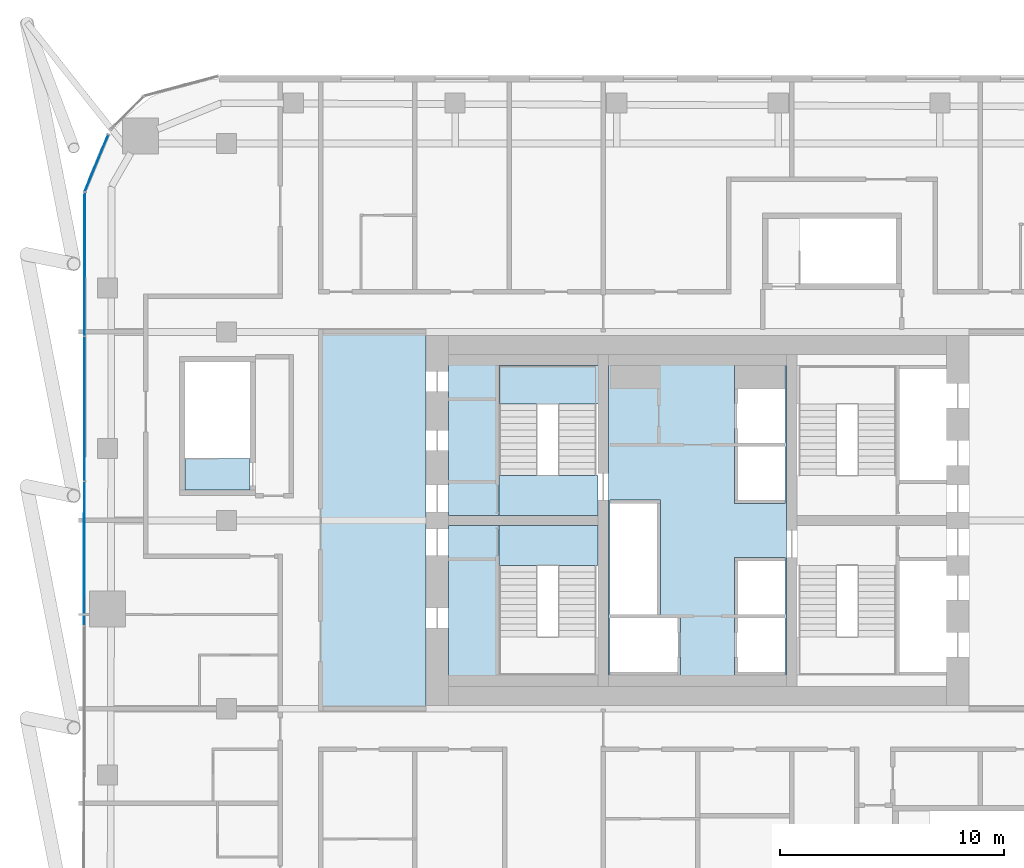
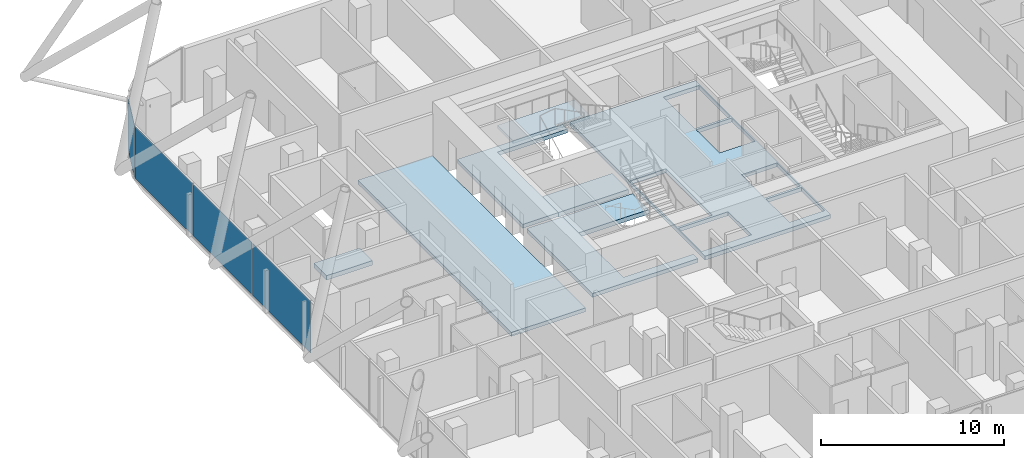
# One storey, part 23 of 34: 8 slabs, 4 plates, 3 elements without a shape of their own.
"""IFC4 building model written with IfcOpenShell, lengths in metres."""

from ifc_helpers import new_model, si_unit, direction, frame, origin, origin_2d, place, context, subcontext, project, spatial, polyline, rectangle, outline, extrude, material, layer, layer_set, type_object, element, aggregate, save


model = new_model("IFC4")

# Units and contexts
model_context = context("Model", 3, precision=1e-05, world=origin(), true_north=direction((0.0, 1.0)))
body_context = subcontext(model_context, "Body", "Model", "MODEL_VIEW")
ifc_project = project(units=[si_unit("LENGTHUNIT", "METRE"), si_unit("AREAUNIT", "SQUARE_METRE"), si_unit("VOLUMEUNIT", "CUBIC_METRE"), si_unit("PLANEANGLEUNIT", "RADIAN"), si_unit("MASSUNIT", "GRAM", prefix="KILO")], contexts=[model_context])

# Site, building, storey
site_placement = place(None, origin())
site = spatial("IfcSite", under=ifc_project, at=site_placement, CompositionType="ELEMENT")
building_placement = place(site_placement, origin())
building = spatial("IfcBuilding", under=site, at=building_placement, Name="Marenta Gate Hotel Tower", CompositionType="ELEMENT")
storey_placement = place(building_placement, frame((0.0, 0.0, 166.10009765625)))
storey = spatial("IfcBuildingStorey", under=building, at=storey_placement, Name="L39", CompositionType="ELEMENT", Elevation=166.10009765625)

# Slabs
ifc_material_1 = material(Name="Concrete C40", Category="concrete")
ifc_layer_1 = layer(ifc_material_1, 0.260009765625)
ifc_layer_set_1 = layer_set([ifc_layer_1], Name="Concrete C40")
slab_type_1 = type_object("IfcSlabType", Name="Core floor slab 260", PredefinedType="FLOOR", material=ifc_layer_set_1)
slab_1_placement = place(storey_placement, frame((0.0, 0.0, -0.260009765625)))
element("IfcSlab", 1, at=slab_1_placement, inside=storey, type_object=slab_type_1, Name="L39-CF-4", PredefinedType="FLOOR", context=body_context, shape_type="SweptSolid", body=[
    extrude(outline(polyline([(3.97509765625, 15.300048828125), (3.97509765625, 10.39990234375), (3.97509765625, 6.39990234375), (3.97509765625, 1.5), (3.97509765625, 1.0), (-3.97509765625, 1.0), (-3.97509765625, 1.5), (-3.97509765625, 6.39990234375), (-3.97509765625, 10.39990234375), (-3.97509765625, 15.300048828125), (-3.97509765625, 15.800048828125), (3.97509765625, 15.800048828125), (3.97509765625, 15.300048828125)]), holes=[polyline([(1.64990234375, 1.5), (3.89990234375, 1.5), (3.89990234375, 1.64990234375), (3.89990234375, 4.050048828125), (1.800048828125, 4.050048828125), (1.64990234375, 4.050048828125), (1.64990234375, 1.64990234375), (1.64990234375, 1.5)]), polyline([(1.64990234375, 6.60009765625), (1.64990234375, 4.199951171875), (1.800048828125, 4.199951171875), (3.89990234375, 4.199951171875), (3.89990234375, 6.60009765625), (3.89990234375, 6.75), (1.64990234375, 6.75), (1.64990234375, 6.60009765625)]), polyline([(1.64990234375, 9.14990234375), (3.89990234375, 9.14990234375), (3.89990234375, 9.300048828125), (3.89990234375, 11.699951171875), (1.800048828125, 11.699951171875), (1.64990234375, 11.699951171875), (1.64990234375, 9.300048828125), (1.64990234375, 9.14990234375)]), polyline([(1.64990234375, 15.300048828125), (1.64990234375, 14.25), (1.64990234375, 11.85009765625), (1.800048828125, 11.85009765625), (3.89990234375, 11.85009765625), (3.89990234375, 14.25), (3.89990234375, 15.300048828125), (1.64990234375, 15.300048828125)]), polyline([(-3.89990234375, 4.050048828125), (-3.89990234375, 1.64990234375), (-3.89990234375, 1.5), (-0.89990234375, 1.5), (-0.75, 1.5), (-0.75, 4.050048828125), (-0.89990234375, 4.050048828125), (-3.89990234375, 4.050048828125)]), polyline([(-1.800048828125, 4.199951171875), (-1.64990234375, 4.199951171875), (-1.64990234375, 9.14990234375), (-1.64990234375, 9.300048828125), (-3.89990234375, 9.300048828125), (-3.89990234375, 9.14990234375), (-3.89990234375, 6.75), (-3.89990234375, 6.60009765625), (-3.89990234375, 4.199951171875), (-1.800048828125, 4.199951171875)])]), origin(), (0.0, 0.0, 1.0), 0.260009765625),
])
slab_2_placement = place(storey_placement, frame((0.0, 0.0, -0.260009765625)))
element("IfcSlab", 2, at=slab_2_placement, inside=storey, type_object=slab_type_1, Name="L39-CF-5", PredefinedType="FLOOR", context=body_context, shape_type="SweptSolid", body=[
    extrude(outline(polyline([(-8.85009765625, 8.175048828125), (-8.85009765625, 8.10009765625), (-8.85009765625, 6.39990234375), (-8.85009765625, 1.5), (-4.425048828125, 1.5), (-4.425048828125, 1.0), (-11.10009765625, 1.0), (-11.10009765625, 8.175048828125), (-8.85009765625, 8.175048828125)])), origin(), (0.0, 0.0, 1.0), 0.260009765625),
])
slab_3_placement = place(storey_placement, frame((0.0, 0.0, -0.260009765625)))
element("IfcSlab", 3, at=slab_3_placement, inside=storey, type_object=slab_type_1, Name="L39-CF-6", PredefinedType="FLOOR", context=body_context, shape_type="SweptSolid", body=[
    extrude(outline(polyline([(-4.425048828125, 15.300048828125), (-8.85009765625, 15.300048828125), (-8.85009765625, 10.39990234375), (-8.85009765625, 8.699951171875), (-8.85009765625, 8.625), (-11.10009765625, 8.625), (-11.10009765625, 15.800048828125), (-4.425048828125, 15.800048828125), (-4.425048828125, 15.300048828125)])), origin(), (0.0, 0.0, 1.0), 0.260009765625),
])
slab_4_placement = place(storey_placement, frame((0.0, 0.0, -0.260009765625)))
element("IfcSlab", 4, at=slab_4_placement, inside=storey, type_object=slab_type_1, Name="L39-CF-7", PredefinedType="FLOOR", context=body_context, shape_type="SweptSolid", body=[
    extrude(outline(polyline([(-12.10009765625, 16.800048828125), (-12.10009765625, 0.0), (-16.800048828125, 0.0), (-16.800048828125, 16.800048828125), (-12.10009765625, 16.800048828125)])), origin(), (0.0, 0.0, 1.0), 0.260009765625),
])

# Stair, slab
ifc_material_2 = material(Name="Concrete C40", Category="concrete")
stair_type = type_object("IfcStairType", Name="Core exit stair 1700 wide", PredefinedType="HALF_TURN_STAIR", material=ifc_material_2)
stair_placement = place(storey_placement, origin())
stair = element("IfcStair", 5, at=stair_placement, inside=storey, type_object=stair_type, Name="Exit stair 2", PredefinedType="HALF_TURN_STAIR")
ifc_material_3 = material(Name="Concrete C40", Category="concrete")
ifc_layer_2 = layer(ifc_material_3, 0.199951171875)
ifc_layer_set_2 = layer_set([ifc_layer_2], Name="Concrete C40")
slab_type_2 = type_object("IfcSlabType", Name="Core stair landing 200", PredefinedType="LANDING", material=ifc_layer_set_2)
slab_5_placement = place(storey_placement, frame((0.0, 0.0, 1.599853515625)))
slab_5 = element("IfcSlab", 6, at=slab_5_placement, type_object=slab_type_2, Name="SL-200 ST2 landing 1", PredefinedType="LANDING", context=body_context, shape_type="SweptSolid", body=[
    extrude(outline(polyline([(-8.85009765625, 13.590087890625), (-3.97509765625, 13.590087890625), (-3.97509765625, 15.300048828125), (-8.85009765625, 15.300048828125), (-8.85009765625, 13.590087890625)])), origin(), (0.0, 0.0, 1.0), 0.199951171875),
])
aggregate(stair, [slab_5])

# Curtain wall, plate
ifc_material_4 = material(Name="Tinted insulated glass in bronze anodised frame", Category="glass")
ifc_layer_3 = layer(ifc_material_4, 0.1201171875)
ifc_layer_set_3 = layer_set([ifc_layer_3], Name="Tinted insulated glass in bronze anodised frame")
curtain_wall_type = type_object("IfcCurtainWallType", Name="Tower unitised curtain wall CW1", PredefinedType="NOTDEFINED", material=ifc_layer_set_3)
curtain_wall_1_placement = place(storey_placement, origin())
curtain_wall_1 = element("IfcCurtainWall", 7, at=curtain_wall_1_placement, inside=storey, type_object=curtain_wall_type, Name="CW1 run G03", PredefinedType="NOTDEFINED")
ifc_material_5 = material(Name="Tinted insulated glass", Category="glass")
ifc_layer_4 = layer(ifc_material_5, 0.028076171875)
ifc_layer_set_4 = layer_set([ifc_layer_4], Name="Tinted insulated glass")
plate_type = type_object("IfcPlateType", Name="Glass panel CW1 28 mm tinted insulated unit", PredefinedType="CURTAIN_PANEL", material=ifc_layer_set_4)
plate_1_placement = place(storey_placement, frame((-26.791015625, 24.32470703125, 0.059814453125), z_axis=(0.0, 0.0, 1.0), x_axis=(-0.382671130767, -0.923884627904, 0.0)))
plate_1 = element("IfcPlate", 8, at=plate_1_placement, type_object=plate_type, Name="CW1 panel 1.1", PredefinedType="CURTAIN_PANEL", context=body_context, shape_type="SweptSolid", body=[
    extrude(rectangle(XDim=2.72412109375, YDim=0.028076171875, at=origin_2d()), origin(), (0.0, 0.0, 1.0), 3.47998046875),
])
aggregate(curtain_wall_1, [plate_1])

# Curtain wall, plates
curtain_wall_2_placement = place(storey_placement, origin())
curtain_wall_2 = element("IfcCurtainWall", 9, at=curtain_wall_2_placement, inside=storey, type_object=curtain_wall_type, Name="CW1 run G04", PredefinedType="NOTDEFINED")
plate_2_placement = place(storey_placement, frame((-27.3173828125, 19.8212890625, 0.059814453125), z_axis=(0.0, 0.0, 1.0), x_axis=(-0.001566045546, -0.99999877375, 0.0)))
plate_2 = element("IfcPlate", 10, at=plate_2_placement, type_object=plate_type, Name="CW1 panel 1.1", PredefinedType="CURTAIN_PANEL", context=body_context, shape_type="SweptSolid", body=[
    extrude(rectangle(XDim=6.3701171875, YDim=0.028076171875, at=origin_2d()), origin(), (0.0, 0.0, 1.0), 3.47998046875),
])
plate_3_placement = place(storey_placement, frame((-27.327392578125, 13.376220703125, 0.059814453125), z_axis=(0.0, 0.0, 1.0), x_axis=(-0.001566045546, -0.99999877375, 0.0)))
plate_3 = element("IfcPlate", 11, at=plate_3_placement, type_object=plate_type, Name="CW1 panel 2.1", PredefinedType="CURTAIN_PANEL", context=body_context, shape_type="SweptSolid", body=[
    extrude(rectangle(XDim=6.39990234375, YDim=0.028076171875, at=origin_2d()), origin(), (0.0, 0.0, 1.0), 3.47998046875),
])
plate_4_placement = place(storey_placement, frame((-27.337646484375, 6.916259765625, 0.059814453125), z_axis=(0.0, 0.0, 1.0), x_axis=(-0.001566045546, -0.99999877375, 0.0)))
plate_4 = element("IfcPlate", 12, at=plate_4_placement, type_object=plate_type, Name="CW1 panel 3.1", PredefinedType="CURTAIN_PANEL", context=body_context, shape_type="SweptSolid", body=[
    extrude(rectangle(XDim=6.39990234375, YDim=0.028076171875, at=origin_2d()), origin(), (0.0, 0.0, 1.0), 3.47998046875),
])
aggregate(curtain_wall_2, [plate_2, plate_3, plate_4])

# Slabs
ifc_material_6 = material(Name="Concrete C40", Category="concrete")
ifc_layer_5 = layer(ifc_material_6, 0.300048828125)
ifc_layer_set_5 = layer_set([ifc_layer_5], Name="Concrete C40")
slab_type_3 = type_object("IfcSlabType", Name="Stair floor landing slab 300", PredefinedType="FLOOR", material=ifc_layer_set_5)
slab_6_placement = place(storey_placement, frame((0.0, 0.0, -0.300048828125)))
element("IfcSlab", 13, at=slab_6_placement, inside=storey, type_object=slab_type_3, Name="L39-CL-ST1-1", PredefinedType="FLOOR", context=body_context, shape_type="SweptSolid", body=[
    extrude(outline(polyline([(-4.425048828125, 6.39990234375), (-8.85009765625, 6.39990234375), (-8.85009765625, 8.10009765625), (-8.85009765625, 8.175048828125), (-4.425048828125, 8.175048828125), (-4.425048828125, 6.39990234375)])), origin(), (0.0, 0.0, 1.0), 0.300048828125),
])
slab_7_placement = place(storey_placement, frame((0.0, 0.0, -0.300048828125)))
element("IfcSlab", 14, at=slab_7_placement, inside=storey, type_object=slab_type_3, Name="L39-CL-ST2-1", PredefinedType="FLOOR", context=body_context, shape_type="SweptSolid", body=[
    extrude(outline(polyline([(-4.425048828125, 8.625), (-8.85009765625, 8.625), (-8.85009765625, 8.699951171875), (-8.85009765625, 10.39990234375), (-4.425048828125, 10.39990234375), (-4.425048828125, 8.625)])), origin(), (0.0, 0.0, 1.0), 0.300048828125),
])
slab_8_placement = place(storey_placement, frame((0.0, 0.0, -0.300048828125)))
element("IfcSlab", 15, at=slab_8_placement, inside=storey, type_object=slab_type_3, Name="L39-RS-Z1-3-CL", PredefinedType="FLOOR", context=body_context, shape_type="SweptSolid", body=[
    extrude(outline(polyline([(-19.949951171875, 9.75), (-19.949951171875, 11.14990234375), (-22.85009765625, 11.14990234375), (-22.85009765625, 9.75), (-19.949951171875, 9.75)])), origin(), (0.0, 0.0, 1.0), 0.300048828125),
])

save(model, "model.ifc")
